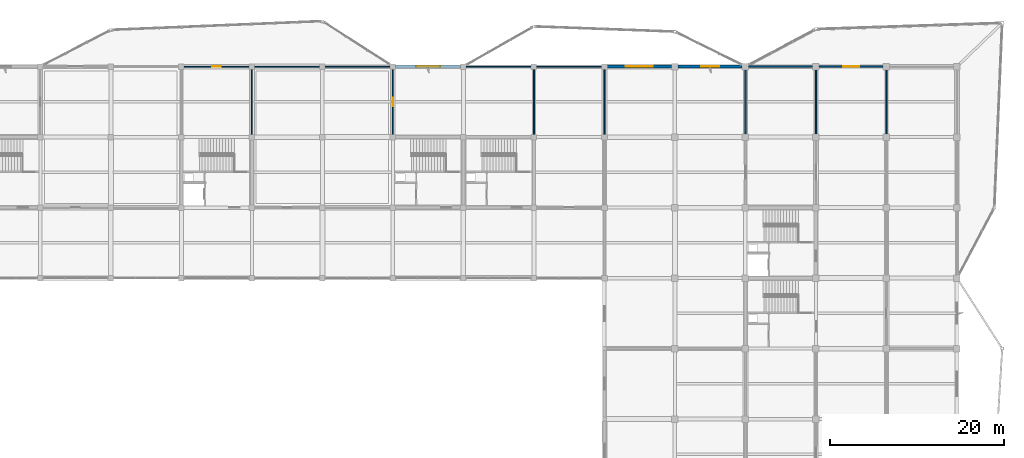
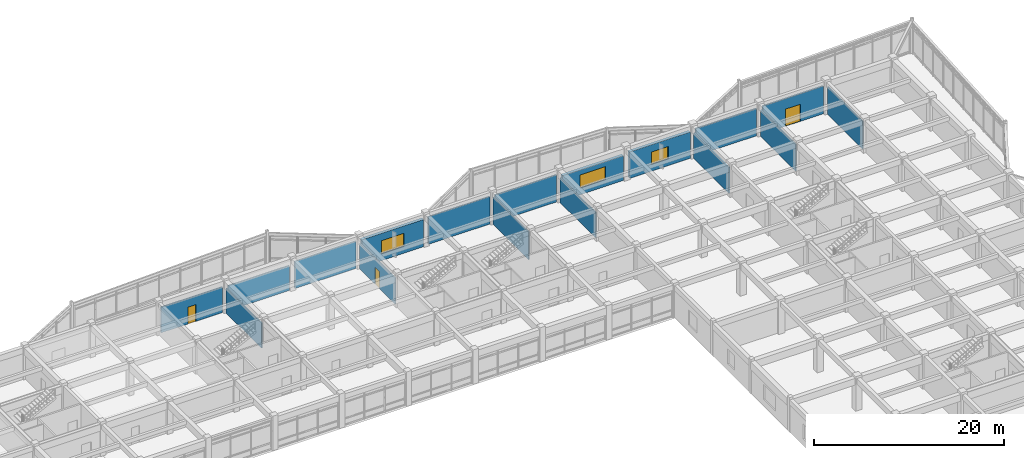
# One storey, part 74 of 89: 17 walls, 3 doors, 3 windows, 6 openings.
"""IFC4 building model written with IfcOpenShell, lengths in metres."""

import ifcopenshell
import ifcopenshell.guid

model = None  # the IFC model being written
_history = None  # IfcOwnerHistory: only IFC2X3 demands one
_inside = {}  # id of a spatial element -> (the spatial element, [elements in it])
_under = {}  # id of a project, library or spatial element -> (it, [spatial elements below it])
_declared = {}  # id of a project -> (the project, [libraries it declares])
_typed = {}  # id of a type object -> (the type object, [elements of that type])
_made_of = {}  # id of a material, layer set ... -> (it, [elements and type objects made of it])


def new_model(schema):
    """Start an empty IFC model of exactly this schema.

    Asked for "IFC4X3", IfcOpenShell would pick the latest addendum, in which some entities
    have other attributes; the version numbers below select the first issue.
    IFC2X3 requires an IfcOwnerHistory on every rooted entity: one is made here for all.
    """
    global model, _history
    if schema == "IFC4X3":
        model = ifcopenshell.file(schema_version=(4, 3, 0, 0))
    else:
        model = ifcopenshell.file(schema=schema)
    _inside.clear()
    _under.clear()
    _declared.clear()
    _typed.clear()
    _made_of.clear()
    _history = None
    if model.schema == "IFC2X3":
        org = make("IfcOrganization", Name="unknown")
        user = make(
            "IfcPersonAndOrganization",
            ThePerson=make("IfcPerson", FamilyName="unknown"),
            TheOrganization=org,
        )
        app = make(
            "IfcApplication",
            ApplicationDeveloper=org,
            Version="unknown",
            ApplicationFullName="unknown",
            ApplicationIdentifier="unknown",
        )
        _history = make(
            "IfcOwnerHistory",
            OwningUser=user,
            OwningApplication=app,
            ChangeAction="ADDED",
            CreationDate=0,
        )
    return model


def make(cls, **values):
    """One entity of the class cls with the attributes given. An attribute that is None is left unset."""
    return model.create_entity(
        cls, **{name: value for name, value in values.items() if value is not None}
    )


def rooted(cls, **values):
    """An entity with a GlobalId (a new one), such as an element, a storey or a relation."""
    return make(cls, GlobalId=ifcopenshell.guid.new(), OwnerHistory=_history, **values)


def si_unit(unit_type, name, prefix=None):
    """IfcSIUnit, for example si_unit("LENGTHUNIT", "METRE", prefix="MILLI")."""
    return make("IfcSIUnit", UnitType=unit_type, Prefix=prefix, Name=name)


def assignment(units):
    """IfcUnitAssignment: the units of a project."""
    return None if units is None else make("IfcUnitAssignment", Units=units)


def point(xyz):
    """IfcCartesianPoint."""
    return None if xyz is None else make("IfcCartesianPoint", Coordinates=xyz)


def direction(xyz):
    """IfcDirection."""
    return None if xyz is None else make("IfcDirection", DirectionRatios=xyz)


def frame(location, z_axis=None, x_axis=None):
    """IfcAxis2Placement3D, a coordinate frame: its origin and axes. An axis left out is left unset."""
    return make(
        "IfcAxis2Placement3D",
        Location=point(location),
        Axis=direction(z_axis),
        RefDirection=direction(x_axis),
    )


def frame_2d(location, x_axis=None):
    """IfcAxis2Placement2D, a coordinate frame in the plane: its origin and x axis."""
    return make(
        "IfcAxis2Placement2D", Location=point(location), RefDirection=direction(x_axis)
    )


def origin():
    """The frame at (0, 0, 0) with its axes left unset."""
    return frame((0.0, 0.0, 0.0))


def place(relative_to, where):
    """IfcLocalPlacement: puts the frame where relative to a parent placement (None: the world)."""
    return make(
        "IfcLocalPlacement", PlacementRelTo=relative_to, RelativePlacement=where
    )


def context(
    kind, dimensions, precision=None, world=None, true_north=None, identifier=None
):
    """IfcGeometricRepresentationContext, for example the 3D "Model" context."""
    return make(
        "IfcGeometricRepresentationContext",
        ContextIdentifier=identifier,
        ContextType=kind,
        CoordinateSpaceDimension=dimensions,
        Precision=precision,
        WorldCoordinateSystem=world,
        TrueNorth=true_north,
    )


def subcontext(parent, identifier, kind, view, scale=None):
    """IfcGeometricRepresentationSubContext, for example "Body" below "Model"."""
    return make(
        "IfcGeometricRepresentationSubContext",
        ContextIdentifier=identifier,
        ContextType=kind,
        ParentContext=parent,
        TargetScale=scale,
        TargetView=view,
    )


def project(units=None, contexts=None):
    """IfcProject with its units and contexts."""
    return rooted(
        "IfcProject",
        Name="project",
        RepresentationContexts=contexts,
        UnitsInContext=assignment(units),
    )


def spatial(cls, under=None, at=None, **own):
    """A site, building, storey or space (cls), placed at a placement, below another one or the project."""
    s = rooted(cls, ObjectPlacement=at, **own)
    if under is not None:
        _under.setdefault(under.id(), (under, []))[1].append(s)
    return s


def profile(cls, at=None, kind="AREA", **sizes):
    """A parametric profile (cls). Its sizes go by their IFC names, for example OverallWidth=200.0."""
    return make(cls, ProfileType=kind, Position=at, **sizes)


def rectangle(**sizes):
    """IfcRectangleProfileDef."""
    return profile("IfcRectangleProfileDef", **sizes)


def extrude(swept, where, along, depth):
    """IfcExtrudedAreaSolid: the profile swept, set in the frame where, extruded along a direction by depth."""
    return make(
        "IfcExtrudedAreaSolid",
        SweptArea=swept,
        Position=where,
        ExtrudedDirection=direction(along),
        Depth=depth,
    )


def shape(context_of_items, identifier, shape_type, items):
    """IfcShapeRepresentation: the items that make up one representation, for example the "Body"."""
    return make(
        "IfcShapeRepresentation",
        ContextOfItems=context_of_items,
        RepresentationIdentifier=identifier,
        RepresentationType=shape_type,
        Items=items,
    )


def material(Name=None, Category=None):
    """IfcMaterial."""
    return make("IfcMaterial", Name=Name, Category=Category)


def layer(
    of_material, thickness, ventilated=None, Name=None, Category=None, Priority=None
):
    """IfcMaterialLayer: one layer of a wall or slab, of a material (None: an air gap)."""
    return make(
        "IfcMaterialLayer",
        Material=of_material,
        LayerThickness=thickness,
        IsVentilated=ventilated,
        Name=Name,
        Category=Category,
        Priority=Priority,
    )


def layer_set(layers, Name=None):
    """IfcMaterialLayerSet."""
    return make("IfcMaterialLayerSet", MaterialLayers=layers, LayerSetName=Name)


def made_of(thing, what):
    """Note that an element or type object is made of a material, layer set ...; save() writes the relation."""
    if what is not None:
        _made_of.setdefault(what.id(), (what, []))[1].append(thing)
    return thing


def type_object(cls, material=None, **own):
    """A type object (cls), such as IfcWallType, which elements share."""
    return made_of(rooted(cls, **own), material)


def element(
    cls,
    number,
    at=None,
    inside=None,
    cuts=None,
    type_object=None,
    material=None,
    context=None,
    identifier="Body",
    shape_type=None,
    held_by="IfcProductDefinitionShape",
    body=None,
    shapes=None,
    **own,
):
    """One element of the class cls, such as IfcWall. Its Tag is "e" and its number.

    at: its placement. inside: the storey or other place that contains it. cuts: it is an
    opening in that element (IfcRelVoidsElement). A single representation is given by context,
    identifier, shape_type and body (its items); several are given by shapes. held_by: the class
    of the entity that holds the representations. save() writes the other relations.
    """
    e = rooted(cls, Tag="e%d" % number, ObjectPlacement=at, **own)
    if body is not None:
        shapes = [shape(context, identifier, shape_type, body)]
    if shapes is not None:
        e.Representation = make(held_by, Representations=shapes)
    if inside is not None:
        _inside.setdefault(inside.id(), (inside, []))[1].append(e)
    if cuts is not None:
        rooted(
            "IfcRelVoidsElement", RelatingBuildingElement=cuts, RelatedOpeningElement=e
        )
    if type_object is not None:
        _typed.setdefault(type_object.id(), (type_object, []))[1].append(e)
    return made_of(e, material)


def fill(opening, filler):
    """IfcRelFillsElement: the door or window that sits in an opening."""
    return rooted(
        "IfcRelFillsElement",
        RelatingOpeningElement=opening,
        RelatedBuildingElement=filler,
    )


def aggregate(whole, parts):
    """IfcRelAggregates: a whole, such as a stair, and the parts it consists of."""
    return rooted("IfcRelAggregates", RelatingObject=whole, RelatedObjects=parts)


def save(model, path):
    """Write the relations noted so far, then the file.

    IfcRelAggregates (storeys below a building ...), IfcRelContainedInSpatialStructure (elements
    in a storey), IfcRelDefinesByType, IfcRelAssociatesMaterial and IfcRelDeclares: one each for
    every whole, place, type object, material and project.
    """
    for whole, parts in _under.values():
        aggregate(whole, parts)
    for where, things in _inside.values():
        rooted(
            "IfcRelContainedInSpatialStructure",
            RelatedElements=things,
            RelatingStructure=where,
        )
    for kind, things in _typed.values():
        rooted("IfcRelDefinesByType", RelatedObjects=things, RelatingType=kind)
    for what, things in _made_of.values():
        rooted("IfcRelAssociatesMaterial", RelatedObjects=things, RelatingMaterial=what)
    for by, libraries in _declared.values():
        rooted("IfcRelDeclares", RelatingContext=by, RelatedDefinitions=libraries)
    model.write(path)


model = new_model("IFC4")

# Units and contexts
model_context = context("Model", 3, precision=1e-05, world=origin(), true_north=direction((0.0, 1.0)))
body_context = subcontext(model_context, "Body", "Model", "MODEL_VIEW")
ifc_project = project(units=[si_unit("LENGTHUNIT", "METRE"), si_unit("AREAUNIT", "SQUARE_METRE"), si_unit("VOLUMEUNIT", "CUBIC_METRE"), si_unit("PLANEANGLEUNIT", "RADIAN"), si_unit("MASSUNIT", "GRAM", prefix="KILO")], contexts=[model_context])

# Site, building, storey
site_placement = place(None, origin())
site = spatial("IfcSite", under=ifc_project, at=site_placement, CompositionType="ELEMENT")
building_placement = place(site_placement, origin())
building = spatial("IfcBuilding", under=site, at=building_placement, Name="Vaudrelin Polytechnic", CompositionType="ELEMENT")
storey_placement = place(building_placement, frame((0.0, 0.0, 9.68994140625)))
storey = spatial("IfcBuildingStorey", under=building, at=storey_placement, Name="L02", CompositionType="ELEMENT", Elevation=9.68994140625)

# Wall, opening, window
ifc_material_1 = material(Name="Precast concrete 35 MPa with terracotta baguette screen", Category="masonry")
ifc_layer_1 = layer(ifc_material_1, 0.35009765625)
ifc_layer_set_1 = layer_set([ifc_layer_1], Name="Precast concrete 35 MPa with terracotta baguette screen")
wall_type_1 = type_object("IfcWallType", Name="WAL-EW-TERR350", PredefinedType="STANDARD", material=ifc_layer_set_1)
wall_1_placement = place(storey_placement, frame((129.923095703125, 121.5, 0.0), z_axis=(0.0, 0.0, 1.0), x_axis=(1.0, 0.0, 0.0)))
wall_1 = element("IfcWall", 1, at=wall_1_placement, inside=storey, type_object=wall_type_1, Name="Exterior wall L02 N_V4_00", PredefinedType="STANDARD", context=body_context, shape_type="SweptSolid", body=[
    extrude(rectangle(XDim=7.40380859375, YDim=0.35009765625, at=frame_2d((3.701904296875, 0.0))), origin(), (0.0, 0.0, 1.0), 3.192138671875),
])
opening_1_placement = place(wall_1_placement, frame((2.152099609375, 0.0, 0.85009765625)))
opening_1 = element("IfcOpeningElement", 2, at=opening_1_placement, cuts=wall_1, Name="Opening W-L02-N-V4-01", PredefinedType="OPENING", context=body_context, shape_type="SweptSolid", body=[
    extrude(rectangle(XDim=3.10009765625, YDim=1.699951171875, at=frame_2d((1.550048828125, 0.85009765625))), frame((0.0, 0.18505859375, 0.0), z_axis=(0.0, -1.0, 0.0), x_axis=(1.0, 0.0, 0.0)), (0.0, 0.0, 1.0), 0.3701171875),
])
ifc_material_2 = material(Name="Thermally broken aluminium frame with triple low-e glazing", Category="aluminium")
window_type_1 = type_object("IfcWindowType", Name="WIN-WN-42", PartitioningType="SINGLE_PANEL", PredefinedType="WINDOW", material=ifc_material_2)
window_1_placement = place(opening_1_placement, origin())
window_1 = element("IfcWindow", 3, at=window_1_placement, inside=storey, type_object=window_type_1, Name="Facade window L02-N_V4_00", OverallHeight=1.699951171875, OverallWidth=3.10009765625, PartitioningType="SINGLE_PANEL", PredefinedType="WINDOW", context=body_context, shape_type="SweptSolid", body=[
    extrude(rectangle(XDim=3.10009765625, YDim=1.699951171875, at=frame_2d((1.550048828125, 0.85009765625))), frame((0.0, 0.030029296875, 0.0), z_axis=(0.0, -1.0, 0.0), x_axis=(1.0, 0.0, 0.0)), (0.0, 0.0, 1.0), 0.06005859375),
])
fill(opening_1, window_1)

wall_2_placement = place(storey_placement, frame((138.072998046875, 121.5, 0.0), z_axis=(0.0, 0.0, 1.0), x_axis=(1.0, 0.0, 0.0)))
wall_2 = element("IfcWall", 4, at=wall_2_placement, inside=storey, type_object=wall_type_1, Name="Exterior wall L02 N_V4_01", PredefinedType="STANDARD", context=body_context, shape_type="SweptSolid", body=[
    extrude(rectangle(XDim=7.35400390625, YDim=0.35009765625, at=frame_2d((3.677001953125, 0.0))), origin(), (0.0, 0.0, 1.0), 3.39208984375),
])
opening_2_placement = place(wall_2_placement, frame((2.652099609375, 0.0, 0.85009765625)))
opening_2 = element("IfcOpeningElement", 5, at=opening_2_placement, cuts=wall_2, Name="Opening W-L02-N-V4-02", PredefinedType="OPENING", context=body_context, shape_type="SweptSolid", body=[
    extrude(rectangle(XDim=2.050048828125, YDim=1.60009765625, at=frame_2d((1.02490234375, 0.800048828125))), frame((0.0, 0.18505859375, 0.0), z_axis=(0.0, -1.0, 0.0), x_axis=(1.0, 0.0, 0.0)), (0.0, 0.0, 1.0), 0.3701171875),
])
window_type_2 = type_object("IfcWindowType", Name="WIN-WN-43", PartitioningType="SINGLE_PANEL", PredefinedType="WINDOW", material=ifc_material_2)
window_2_placement = place(opening_2_placement, origin())
window_2 = element("IfcWindow", 6, at=window_2_placement, inside=storey, type_object=window_type_2, Name="Facade window L02-N_V4_01", OverallHeight=1.60009765625, OverallWidth=2.050048828125, PartitioningType="SINGLE_PANEL", PredefinedType="WINDOW", context=body_context, shape_type="SweptSolid", body=[
    extrude(rectangle(XDim=2.050048828125, YDim=1.60009765625, at=frame_2d((1.02490234375, 0.800048828125))), frame((0.0, 0.030029296875, 0.0), z_axis=(0.0, -1.0, 0.0), x_axis=(1.0, 0.0, 0.0)), (0.0, 0.0, 1.0), 0.06005859375),
])
fill(opening_2, window_2)

ifc_material_3 = material(Name="Precast concrete 35 MPa with standing-seam zinc rainscreen", Category="concrete")
ifc_layer_2 = layer(ifc_material_3, 0.360107421875)
ifc_layer_set_2 = layer_set([ifc_layer_2], Name="Precast concrete 35 MPa with standing-seam zinc rainscreen")
wall_type_2 = type_object("IfcWallType", Name="WAL-EW-ZINC360", PredefinedType="STANDARD", material=ifc_layer_set_2)
wall_3_placement = place(storey_placement, frame((105.623046875, 121.5, 0.0), z_axis=(0.0, 0.0, 1.0), x_axis=(1.0, 0.0, 0.0)))
wall_3 = element("IfcWall", 7, at=wall_3_placement, inside=storey, type_object=wall_type_2, Name="Exterior wall L02 N_V5_13", PredefinedType="STANDARD", context=body_context, shape_type="SweptSolid", body=[
    extrude(rectangle(XDim=7.453857421875, YDim=0.360107421875, at=frame_2d((3.72705078125, 0.0))), origin(), (0.0, 0.0, 1.0), 3.491943359375),
])
opening_3_placement = place(wall_3_placement, frame((2.35205078125, 0.0, 0.85009765625)))
opening_3 = element("IfcOpeningElement", 8, at=opening_3_placement, cuts=wall_3, Name="Opening W-L02-N-V5-14", PredefinedType="OPENING", context=body_context, shape_type="SweptSolid", body=[
    extrude(rectangle(XDim=2.75, YDim=1.699951171875, at=frame_2d((1.375, 0.85009765625))), frame((0.0, 0.18994140625, 0.0), z_axis=(0.0, -1.0, 0.0), x_axis=(1.0, 0.0, 0.0)), (0.0, 0.0, 1.0), 0.380126953125),
])
window_type_3 = type_object("IfcWindowType", Name="WIN-WN-41", PartitioningType="SINGLE_PANEL", PredefinedType="WINDOW", material=ifc_material_2)
window_3_placement = place(opening_3_placement, origin())
window_3 = element("IfcWindow", 9, at=window_3_placement, inside=storey, type_object=window_type_3, Name="Facade window L02-N_V5_13", OverallHeight=1.699951171875, OverallWidth=2.75, PartitioningType="SINGLE_PANEL", PredefinedType="WINDOW", context=body_context, shape_type="SweptSolid", body=[
    extrude(rectangle(XDim=2.75, YDim=1.699951171875, at=frame_2d((1.375, 0.85009765625))), frame((0.0, 0.030029296875, 0.0), z_axis=(0.0, -1.0, 0.0), x_axis=(1.0, 0.0, 0.0)), (0.0, 0.0, 1.0), 0.06005859375),
])
fill(opening_3, window_3)

# Wall, opening, door
ifc_material_4 = material(Name="Acoustic double-stud gypsum & mineral-wool partition", Category="gypsum")
ifc_layer_3 = layer(ifc_material_4, 0.179931640625)
ifc_layer_set_3 = layer_set([ifc_layer_3], Name="Acoustic double-stud gypsum & mineral-wool partition")
wall_type_3 = type_object("IfcWallType", Name="WAL-PW-AC180", PredefinedType="PARTITIONING", material=ifc_layer_set_3)
wall_4_placement = place(storey_placement, frame((154.27294921875, 121.5, 0.0), z_axis=(0.0, 0.0, 1.0), x_axis=(1.0, 0.0, 0.0)))
wall_4 = element("IfcWall", 10, at=wall_4_placement, inside=storey, type_object=wall_type_3, Name="Interior partition L02 19-15 to 20-15", PredefinedType="PARTITIONING", context=body_context, shape_type="SweptSolid", body=[
    extrude(rectangle(XDim=7.35400390625, YDim=0.179931640625, at=frame_2d((3.677001953125, 0.0))), origin(), (0.0, 0.0, 1.0), 3.5419921875),
])
opening_4_placement = place(wall_4_placement, frame((2.777099609375, 0.0, 0.0)))
opening_4 = element("IfcOpeningElement", 11, at=opening_4_placement, cuts=wall_4, Name="Opening D-L02-598", PredefinedType="OPENING", context=body_context, shape_type="SweptSolid", body=[
    extrude(rectangle(XDim=1.800048828125, YDim=2.199951171875, at=frame_2d((0.89990234375, 1.10009765625))), frame((0.0, 0.10009765625, 0.0), z_axis=(0.0, -1.0, 0.0), x_axis=(1.0, 0.0, 0.0)), (0.0, 0.0, 1.0), 0.199951171875),
])
ifc_material_5 = material(Name="Pressed galvanised steel acoustic leaf", Category="steel")
door_type_1 = type_object("IfcDoorType", Name="DOR-ID-DBL1", OperationType="NOTDEFINED", PredefinedType="DOOR", material=ifc_material_5)
door_1_placement = place(opening_4_placement, origin())
door_1 = element("IfcDoor", 12, at=door_1_placement, inside=storey, type_object=door_type_1, Name="Upper robotics commons prow corridor door L02", OperationType="DOUBLE_SWING_LEFT", OverallHeight=2.199951171875, OverallWidth=1.800048828125, PredefinedType="DOOR", context=body_context, shape_type="SweptSolid", body=[
    extrude(rectangle(XDim=1.800048828125, YDim=2.199951171875, at=frame_2d((0.89990234375, 1.10009765625))), frame((0.0, 0.02490234375, 0.0), z_axis=(0.0, -1.0, 0.0), x_axis=(1.0, 0.0, 0.0)), (0.0, 0.0, 1.0), 0.050048828125),
])
fill(opening_4, door_1)

# Walls
ifc_material_6 = material(Name="Moisture- and chemical-resistant laboratory partition", Category="gypsum")
ifc_layer_4 = layer(ifc_material_6, 0.159912109375)
ifc_layer_set_4 = layer_set([ifc_layer_4], Name="Moisture- and chemical-resistant laboratory partition")
wall_type_4 = type_object("IfcWallType", Name="WAL-PW-LAB160", PredefinedType="PARTITIONING", material=ifc_layer_set_4)
wall_5_placement = place(storey_placement, frame((145.800048828125, 113.77294921875, 0.0), z_axis=(0.0, 0.0, 1.0), x_axis=(0.0, 1.0, 0.0)))
element("IfcWall", 13, at=wall_5_placement, inside=storey, type_object=wall_type_4, Name="Partition L02-018 E", PredefinedType="PARTITIONING", context=body_context, shape_type="SweptSolid", body=[
    extrude(rectangle(XDim=7.35400390625, YDim=0.159912109375, at=frame_2d((3.677001953125, 0.0))), origin(), (0.0, 0.0, 1.0), 3.2919921875),
])
wall_6_placement = place(storey_placement, frame((153.89990234375, 113.77294921875, 0.0), z_axis=(0.0, 0.0, 1.0), x_axis=(0.0, 1.0, 0.0)))
element("IfcWall", 14, at=wall_6_placement, inside=storey, type_object=wall_type_4, Name="Partition L02-019 E", PredefinedType="PARTITIONING", context=body_context, shape_type="SweptSolid", body=[
    extrude(rectangle(XDim=7.35400390625, YDim=0.159912109375, at=frame_2d((3.677001953125, 0.0))), origin(), (0.0, 0.0, 1.0), 3.39208984375),
])
wall_7_placement = place(storey_placement, frame((146.173095703125, 121.5, 0.0), z_axis=(0.0, 0.0, 1.0), x_axis=(1.0, 0.0, 0.0)))
element("IfcWall", 15, at=wall_7_placement, inside=storey, type_object=wall_type_4, Name="Partition L02-019 N", PredefinedType="PARTITIONING", context=body_context, shape_type="SweptSolid", body=[
    extrude(rectangle(XDim=7.35400390625, YDim=0.159912109375, at=frame_2d((3.677001953125, 0.0))), origin(), (0.0, 0.0, 1.0), 3.491943359375),
])

# Wall, opening, door
ifc_material_7 = material(Name="Acoustic steel-stud office & study room partition", Category="steel")
ifc_layer_5 = layer(ifc_material_7, 0.135009765625)
ifc_layer_set_5 = layer_set([ifc_layer_5], Name="Acoustic steel-stud office & study room partition")
wall_type_5 = type_object("IfcWallType", Name="WAL-PW-OFF135", PredefinedType="PARTITIONING", material=ifc_layer_set_5)
wall_8_placement = place(storey_placement, frame((105.300048828125, 113.722900390625, 0.0), z_axis=(0.0, 0.0, 1.0), x_axis=(0.0, 1.0, 0.0)))
wall_8 = element("IfcWall", 16, at=wall_8_placement, inside=storey, type_object=wall_type_5, Name="Partition L02-011 E", PredefinedType="PARTITIONING", context=body_context, shape_type="SweptSolid", body=[
    extrude(rectangle(XDim=7.4541015625, YDim=0.135009765625, at=frame_2d((3.72705078125, 0.0))), origin(), (0.0, 0.0, 1.0), 3.2919921875),
])
opening_5_placement = place(wall_8_placement, frame((3.2470703125, 0.0, 0.0)))
opening_5 = element("IfcOpeningElement", 17, at=opening_5_placement, cuts=wall_8, Name="Opening D-L02-493", PredefinedType="OPENING", context=body_context, shape_type="SweptSolid", body=[
    extrude(rectangle(XDim=0.9599609375, YDim=2.14990234375, at=frame_2d((0.47998046875, 1.074951171875))), frame((0.0, 0.07763671875, 0.0), z_axis=(0.0, -1.0, 0.0), x_axis=(1.0, 0.0, 0.0)), (0.0, 0.0, 1.0), 0.155029296875),
])
ifc_material_8 = material(Name="Solid-core birch veneer acoustic leaf", Category="wood")
door_type_2 = type_object("IfcDoorType", Name="DOR-ID-OFF2", OperationType="NOTDEFINED", PredefinedType="DOOR", material=ifc_material_8)
door_2_placement = place(opening_5_placement, origin())
door_2 = element("IfcDoor", 18, at=door_2_placement, inside=storey, type_object=door_type_2, Name="Special Collections Archival Alcove door L02-029", OperationType="SINGLE_SWING_RIGHT", OverallHeight=2.14990234375, OverallWidth=0.9599609375, PredefinedType="DOOR", context=body_context, shape_type="SweptSolid", body=[
    extrude(rectangle(XDim=0.9599609375, YDim=2.14990234375, at=frame_2d((0.47998046875, 1.074951171875))), frame((0.0, 0.02490234375, 0.0), z_axis=(0.0, -1.0, 0.0), x_axis=(1.0, 0.0, 0.0)), (0.0, 0.0, 1.0), 0.050048828125),
])
fill(opening_5, door_2)

# Walls
wall_9_placement = place(storey_placement, frame((89.10009765625, 113.722900390625, 0.0), z_axis=(0.0, 0.0, 1.0), x_axis=(0.0, 1.0, 0.0)))
element("IfcWall", 19, at=wall_9_placement, inside=storey, type_object=wall_type_5, Name="Partition L02-011 W", PredefinedType="PARTITIONING", context=body_context, shape_type="SweptSolid", body=[
    extrude(rectangle(XDim=7.4541015625, YDim=0.135009765625, at=frame_2d((3.72705078125, 0.0))), origin(), (0.0, 0.0, 1.0), 3.192138671875),
])
wall_10_placement = place(storey_placement, frame((89.423095703125, 121.5, 0.0), z_axis=(0.0, 0.0, 1.0), x_axis=(1.0, 0.0, 0.0)))
element("IfcWall", 20, at=wall_10_placement, inside=storey, type_object=wall_type_5, Name="Partition L02-011 N", PredefinedType="PARTITIONING", context=body_context, shape_type="SweptSolid", body=[
    extrude(rectangle(XDim=7.453857421875, YDim=0.135009765625, at=frame_2d((3.72705078125, 0.0))), origin(), (0.0, 0.0, 1.0), 3.192138671875),
])
wall_11_placement = place(storey_placement, frame((97.52294921875, 121.5, 0.0), z_axis=(0.0, 0.0, 1.0), x_axis=(1.0, 0.0, 0.0)))
element("IfcWall", 21, at=wall_11_placement, inside=storey, type_object=wall_type_5, Name="Partition L02-011 N", PredefinedType="PARTITIONING", context=body_context, shape_type="SweptSolid", body=[
    extrude(rectangle(XDim=7.4541015625, YDim=0.135009765625, at=frame_2d((3.72705078125, 0.0))), origin(), (0.0, 0.0, 1.0), 3.491943359375),
])
wall_12_placement = place(storey_placement, frame((129.60009765625, 113.722900390625, 0.0), z_axis=(0.0, 0.0, 1.0), x_axis=(0.0, 1.0, 0.0)))
element("IfcWall", 22, at=wall_12_placement, inside=storey, type_object=wall_type_5, Name="Partition L02-012 E", PredefinedType="PARTITIONING", context=body_context, shape_type="SweptSolid", body=[
    extrude(rectangle(XDim=7.4541015625, YDim=0.135009765625, at=frame_2d((3.72705078125, 0.0))), origin(), (0.0, 0.0, 1.0), 3.192138671875),
])
wall_13_placement = place(storey_placement, frame((121.5, 113.722900390625, 0.0), z_axis=(0.0, 0.0, 1.0), x_axis=(0.0, 1.0, 0.0)))
element("IfcWall", 23, at=wall_13_placement, inside=storey, type_object=wall_type_5, Name="Partition L02-012 W", PredefinedType="PARTITIONING", context=body_context, shape_type="SweptSolid", body=[
    extrude(rectangle(XDim=7.4541015625, YDim=0.135009765625, at=frame_2d((3.72705078125, 0.0))), origin(), (0.0, 0.0, 1.0), 3.5419921875),
])
wall_14_placement = place(storey_placement, frame((121.822998046875, 121.5, 0.0), z_axis=(0.0, 0.0, 1.0), x_axis=(1.0, 0.0, 0.0)))
element("IfcWall", 24, at=wall_14_placement, inside=storey, type_object=wall_type_5, Name="Partition L02-012 N", PredefinedType="PARTITIONING", context=body_context, shape_type="SweptSolid", body=[
    extrude(rectangle(XDim=7.4541015625, YDim=0.135009765625, at=frame_2d((3.72705078125, 0.0))), origin(), (0.0, 0.0, 1.0), 3.491943359375),
])
wall_15_placement = place(storey_placement, frame((162.0, 113.77294921875, 0.0), z_axis=(0.0, 0.0, 1.0), x_axis=(0.0, 1.0, 0.0)))
element("IfcWall", 25, at=wall_15_placement, inside=storey, type_object=wall_type_5, Name="Partition L02-023 W", PredefinedType="PARTITIONING", context=body_context, shape_type="SweptSolid", body=[
    extrude(rectangle(XDim=7.35400390625, YDim=0.135009765625, at=frame_2d((3.677001953125, 0.0))), origin(), (0.0, 0.0, 1.0), 3.5419921875),
])

# Wall, opening, door
wall_16_placement = place(storey_placement, frame((81.322998046875, 121.5, 0.0), z_axis=(0.0, 0.0, 1.0), x_axis=(1.0, 0.0, 0.0)))
wall_16 = element("IfcWall", 26, at=wall_16_placement, inside=storey, type_object=wall_type_5, Name="Partition L02-028 N", PredefinedType="PARTITIONING", context=body_context, shape_type="SweptSolid", body=[
    extrude(rectangle(XDim=7.4541015625, YDim=0.135009765625, at=frame_2d((3.72705078125, 0.0))), origin(), (0.0, 0.0, 1.0), 3.2919921875),
])
opening_6_placement = place(wall_16_placement, frame((3.2470703125, 0.0, 0.0)))
opening_6 = element("IfcOpeningElement", 27, at=opening_6_placement, cuts=wall_16, Name="Opening D-L02-492", PredefinedType="OPENING", context=body_context, shape_type="SweptSolid", body=[
    extrude(rectangle(XDim=0.9599609375, YDim=2.14990234375, at=frame_2d((0.47998046875, 1.074951171875))), frame((0.0, 0.07763671875, 0.0), z_axis=(0.0, -1.0, 0.0), x_axis=(1.0, 0.0, 0.0)), (0.0, 0.0, 1.0), 0.155029296875),
])
door_3_placement = place(opening_6_placement, origin())
door_3 = element("IfcDoor", 28, at=door_3_placement, inside=storey, type_object=door_type_2, Name="Library Digital Reference Alcove door L02-028", OperationType="SINGLE_SWING_LEFT", OverallHeight=2.14990234375, OverallWidth=0.9599609375, PredefinedType="DOOR", context=body_context, shape_type="SweptSolid", body=[
    extrude(rectangle(XDim=0.9599609375, YDim=2.14990234375, at=frame_2d((0.47998046875, 1.074951171875))), frame((0.0, 0.02490234375, 0.0), z_axis=(0.0, -1.0, 0.0), x_axis=(1.0, 0.0, 0.0)), (0.0, 0.0, 1.0), 0.050048828125),
])
fill(opening_6, door_3)

# Wall
wall_17_placement = place(storey_placement, frame((113.722900390625, 121.5, 0.0), z_axis=(0.0, 0.0, 1.0), x_axis=(1.0, 0.0, 0.0)))
element("IfcWall", 29, at=wall_17_placement, inside=storey, type_object=wall_type_5, Name="Partition L02-029 N", PredefinedType="PARTITIONING", context=body_context, shape_type="SweptSolid", body=[
    extrude(rectangle(XDim=7.4541015625, YDim=0.135009765625, at=frame_2d((3.72705078125, 0.0))), origin(), (0.0, 0.0, 1.0), 3.5419921875),
])

save(model, "model.ifc")
